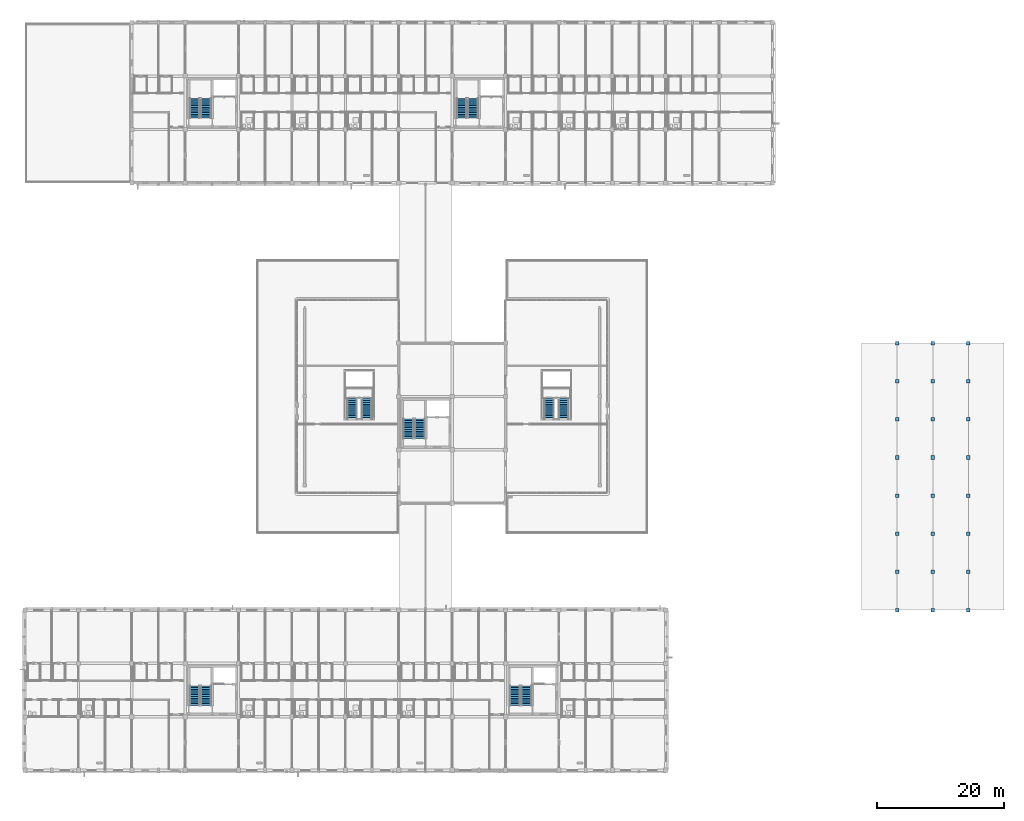
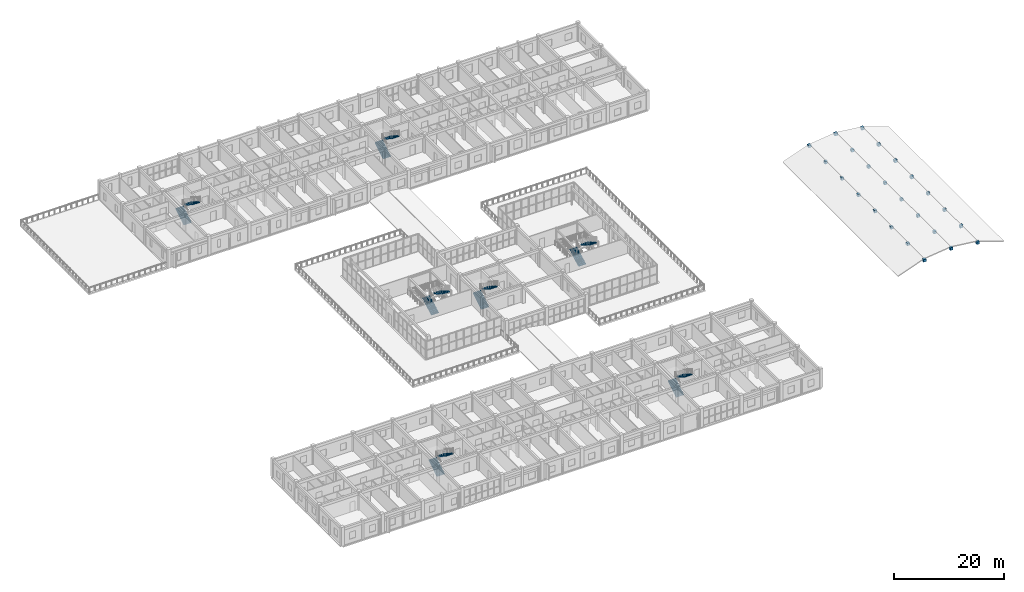
# One storey, part 77 of 90: 24 discrete accessories, 14 stair flights, 7 elements without a shape of their own.
"""IFC4 building model written with IfcOpenShell, lengths in metres."""

import ifcopenshell
import ifcopenshell.guid

model = None  # the IFC model being written
_history = None  # IfcOwnerHistory: only IFC2X3 demands one
_inside = {}  # id of a spatial element -> (the spatial element, [elements in it])
_under = {}  # id of a project, library or spatial element -> (it, [spatial elements below it])
_declared = {}  # id of a project -> (the project, [libraries it declares])
_typed = {}  # id of a type object -> (the type object, [elements of that type])
_made_of = {}  # id of a material, layer set ... -> (it, [elements and type objects made of it])


def new_model(schema):
    """Start an empty IFC model of exactly this schema.

    Asked for "IFC4X3", IfcOpenShell would pick the latest addendum, in which some entities
    have other attributes; the version numbers below select the first issue.
    IFC2X3 requires an IfcOwnerHistory on every rooted entity: one is made here for all.
    """
    global model, _history
    if schema == "IFC4X3":
        model = ifcopenshell.file(schema_version=(4, 3, 0, 0))
    else:
        model = ifcopenshell.file(schema=schema)
    _inside.clear()
    _under.clear()
    _declared.clear()
    _typed.clear()
    _made_of.clear()
    _history = None
    if model.schema == "IFC2X3":
        org = make("IfcOrganization", Name="unknown")
        user = make(
            "IfcPersonAndOrganization",
            ThePerson=make("IfcPerson", FamilyName="unknown"),
            TheOrganization=org,
        )
        app = make(
            "IfcApplication",
            ApplicationDeveloper=org,
            Version="unknown",
            ApplicationFullName="unknown",
            ApplicationIdentifier="unknown",
        )
        _history = make(
            "IfcOwnerHistory",
            OwningUser=user,
            OwningApplication=app,
            ChangeAction="ADDED",
            CreationDate=0,
        )
    return model


def make(cls, **values):
    """One entity of the class cls with the attributes given. An attribute that is None is left unset."""
    return model.create_entity(
        cls, **{name: value for name, value in values.items() if value is not None}
    )


def rooted(cls, **values):
    """An entity with a GlobalId (a new one), such as an element, a storey or a relation."""
    return make(cls, GlobalId=ifcopenshell.guid.new(), OwnerHistory=_history, **values)


def si_unit(unit_type, name, prefix=None):
    """IfcSIUnit, for example si_unit("LENGTHUNIT", "METRE", prefix="MILLI")."""
    return make("IfcSIUnit", UnitType=unit_type, Prefix=prefix, Name=name)


def assignment(units):
    """IfcUnitAssignment: the units of a project."""
    return None if units is None else make("IfcUnitAssignment", Units=units)


def point(xyz):
    """IfcCartesianPoint."""
    return None if xyz is None else make("IfcCartesianPoint", Coordinates=xyz)


def direction(xyz):
    """IfcDirection."""
    return None if xyz is None else make("IfcDirection", DirectionRatios=xyz)


def frame(location, z_axis=None, x_axis=None):
    """IfcAxis2Placement3D, a coordinate frame: its origin and axes. An axis left out is left unset."""
    return make(
        "IfcAxis2Placement3D",
        Location=point(location),
        Axis=direction(z_axis),
        RefDirection=direction(x_axis),
    )


def frame_2d(location, x_axis=None):
    """IfcAxis2Placement2D, a coordinate frame in the plane: its origin and x axis."""
    return make(
        "IfcAxis2Placement2D", Location=point(location), RefDirection=direction(x_axis)
    )


def origin():
    """The frame at (0, 0, 0) with its axes left unset."""
    return frame((0.0, 0.0, 0.0))


def origin_2d():
    """The frame at (0, 0) in the plane with its x axis left unset."""
    return frame_2d((0.0, 0.0))


def place(relative_to, where):
    """IfcLocalPlacement: puts the frame where relative to a parent placement (None: the world)."""
    return make(
        "IfcLocalPlacement", PlacementRelTo=relative_to, RelativePlacement=where
    )


def context(
    kind, dimensions, precision=None, world=None, true_north=None, identifier=None
):
    """IfcGeometricRepresentationContext, for example the 3D "Model" context."""
    return make(
        "IfcGeometricRepresentationContext",
        ContextIdentifier=identifier,
        ContextType=kind,
        CoordinateSpaceDimension=dimensions,
        Precision=precision,
        WorldCoordinateSystem=world,
        TrueNorth=true_north,
    )


def subcontext(parent, identifier, kind, view, scale=None):
    """IfcGeometricRepresentationSubContext, for example "Body" below "Model"."""
    return make(
        "IfcGeometricRepresentationSubContext",
        ContextIdentifier=identifier,
        ContextType=kind,
        ParentContext=parent,
        TargetScale=scale,
        TargetView=view,
    )


def project(units=None, contexts=None):
    """IfcProject with its units and contexts."""
    return rooted(
        "IfcProject",
        Name="project",
        RepresentationContexts=contexts,
        UnitsInContext=assignment(units),
    )


def spatial(cls, under=None, at=None, **own):
    """A site, building, storey or space (cls), placed at a placement, below another one or the project."""
    s = rooted(cls, ObjectPlacement=at, **own)
    if under is not None:
        _under.setdefault(under.id(), (under, []))[1].append(s)
    return s


def polyline(points):
    """IfcPolyline through the points."""
    return make("IfcPolyline", Points=[point(p) for p in points])


def profile(cls, at=None, kind="AREA", **sizes):
    """A parametric profile (cls). Its sizes go by their IFC names, for example OverallWidth=200.0."""
    return make(cls, ProfileType=kind, Position=at, **sizes)


def rectangle(**sizes):
    """IfcRectangleProfileDef."""
    return profile("IfcRectangleProfileDef", **sizes)


def outline(outer, holes=None, kind="AREA"):
    """IfcArbitraryClosedProfileDef: a profile drawn as a closed curve; with holes, ...WithVoids."""
    if holes is None:
        return make("IfcArbitraryClosedProfileDef", ProfileType=kind, OuterCurve=outer)
    return make(
        "IfcArbitraryProfileDefWithVoids",
        ProfileType=kind,
        OuterCurve=outer,
        InnerCurves=holes,
    )


def extrude(swept, where, along, depth):
    """IfcExtrudedAreaSolid: the profile swept, set in the frame where, extruded along a direction by depth."""
    return make(
        "IfcExtrudedAreaSolid",
        SweptArea=swept,
        Position=where,
        ExtrudedDirection=direction(along),
        Depth=depth,
    )


def shape(context_of_items, identifier, shape_type, items):
    """IfcShapeRepresentation: the items that make up one representation, for example the "Body"."""
    return make(
        "IfcShapeRepresentation",
        ContextOfItems=context_of_items,
        RepresentationIdentifier=identifier,
        RepresentationType=shape_type,
        Items=items,
    )


def material(Name=None, Category=None):
    """IfcMaterial."""
    return make("IfcMaterial", Name=Name, Category=Category)


def made_of(thing, what):
    """Note that an element or type object is made of a material, layer set ...; save() writes the relation."""
    if what is not None:
        _made_of.setdefault(what.id(), (what, []))[1].append(thing)
    return thing


def type_object(cls, material=None, **own):
    """A type object (cls), such as IfcWallType, which elements share."""
    return made_of(rooted(cls, **own), material)


def element(
    cls,
    number,
    at=None,
    inside=None,
    cuts=None,
    type_object=None,
    material=None,
    context=None,
    identifier="Body",
    shape_type=None,
    held_by="IfcProductDefinitionShape",
    body=None,
    shapes=None,
    **own,
):
    """One element of the class cls, such as IfcWall. Its Tag is "e" and its number.

    at: its placement. inside: the storey or other place that contains it. cuts: it is an
    opening in that element (IfcRelVoidsElement). A single representation is given by context,
    identifier, shape_type and body (its items); several are given by shapes. held_by: the class
    of the entity that holds the representations. save() writes the other relations.
    """
    e = rooted(cls, Tag="e%d" % number, ObjectPlacement=at, **own)
    if body is not None:
        shapes = [shape(context, identifier, shape_type, body)]
    if shapes is not None:
        e.Representation = make(held_by, Representations=shapes)
    if inside is not None:
        _inside.setdefault(inside.id(), (inside, []))[1].append(e)
    if cuts is not None:
        rooted(
            "IfcRelVoidsElement", RelatingBuildingElement=cuts, RelatedOpeningElement=e
        )
    if type_object is not None:
        _typed.setdefault(type_object.id(), (type_object, []))[1].append(e)
    return made_of(e, material)


def aggregate(whole, parts):
    """IfcRelAggregates: a whole, such as a stair, and the parts it consists of."""
    return rooted("IfcRelAggregates", RelatingObject=whole, RelatedObjects=parts)


def save(model, path):
    """Write the relations noted so far, then the file.

    IfcRelAggregates (storeys below a building ...), IfcRelContainedInSpatialStructure (elements
    in a storey), IfcRelDefinesByType, IfcRelAssociatesMaterial and IfcRelDeclares: one each for
    every whole, place, type object, material and project.
    """
    for whole, parts in _under.values():
        aggregate(whole, parts)
    for where, things in _inside.values():
        rooted(
            "IfcRelContainedInSpatialStructure",
            RelatedElements=things,
            RelatingStructure=where,
        )
    for kind, things in _typed.values():
        rooted("IfcRelDefinesByType", RelatedObjects=things, RelatingType=kind)
    for what, things in _made_of.values():
        rooted("IfcRelAssociatesMaterial", RelatedObjects=things, RelatingMaterial=what)
    for by, libraries in _declared.values():
        rooted("IfcRelDeclares", RelatingContext=by, RelatedDefinitions=libraries)
    model.write(path)


model = new_model("IFC4")

# Units and contexts
model_context = context("Model", 3, precision=1e-05, world=origin(), true_north=direction((0.0, 1.0)))
body_context = subcontext(model_context, "Body", "Model", "MODEL_VIEW")
ifc_project = project(units=[si_unit("LENGTHUNIT", "METRE"), si_unit("AREAUNIT", "SQUARE_METRE"), si_unit("VOLUMEUNIT", "CUBIC_METRE"), si_unit("PLANEANGLEUNIT", "RADIAN"), si_unit("MASSUNIT", "GRAM", prefix="KILO")], contexts=[model_context])

# Site, building, storey
site_placement = place(None, origin())
site = spatial("IfcSite", under=ifc_project, at=site_placement, CompositionType="ELEMENT")
building_placement = place(site_placement, origin())
building = spatial("IfcBuilding", under=site, at=building_placement, Name="Trelvath General Hospital", CompositionType="ELEMENT")
storey_placement = place(building_placement, frame((0.0, 0.0, 20.39990234375)))
storey = spatial("IfcBuildingStorey", under=building, at=storey_placement, Name="L05", CompositionType="ELEMENT", Elevation=20.39990234375)

# Stair, stair flights
ifc_material_1 = material(Name="Concrete C35/45", Category="concrete")
stair_type_1 = type_object("IfcStairType", Name="Stair PublicCube420", PredefinedType="TWO_STRAIGHT_RUN_STAIR", material=ifc_material_1)
stair_1_placement = place(storey_placement, origin())
stair_1 = element("IfcStair", 1, at=stair_1_placement, inside=storey, type_object=stair_type_1, Name="Public Cube Feature Stair ST9 L05", PredefinedType="TWO_STRAIGHT_RUN_STAIR")
ifc_material_2 = material(Name="Concrete C35/45", Category="concrete")
stair_flight_type_1 = type_object("IfcStairFlightType", Name="Flight PublicCube420", PredefinedType="STRAIGHT", material=ifc_material_2)
stair_flight_1_placement = place(storey_placement, frame((68.25, 55.169921875, 0.0), z_axis=(0.0, 0.0, 1.0), x_axis=(0.0, 1.0, 0.0)))
stair_flight_1 = element("IfcStairFlight", 2, at=stair_flight_1_placement, type_object=stair_flight_type_1, Name="ST9-L05 flight 1", NumberOfRisers=12, NumberOfTreads=11, PredefinedType="STRAIGHT", RiserHeight=0.175, TreadLength=0.3, context=body_context, shape_type="SweptSolid", body=[
    extrude(outline(polyline([(0.0, 0.0), (0.0, 0.175048828125), (0.300048828125, 0.175048828125), (0.300048828125, 0.35009765625), (0.60009765625, 0.35009765625), (0.60009765625, 0.52490234375), (0.89990234375, 0.52490234375), (0.89990234375, 0.699951171875), (1.199951171875, 0.699951171875), (1.199951171875, 0.875), (1.5, 0.875), (1.5, 1.050048828125), (1.800048828125, 1.050048828125), (1.800048828125, 1.22509765625), (2.10009765625, 1.22509765625), (2.10009765625, 1.39990234375), (2.39990234375, 1.39990234375), (2.39990234375, 1.574951171875), (2.699951171875, 1.574951171875), (2.699951171875, 1.75), (3.0, 1.75), (3.0, 1.925048828125), (3.300048828125, 1.925048828125), (3.300048828125, 2.10009765625), (3.300048828125, 1.739990234375), (0.3173828125, 0.0), (0.0, 0.0)])), frame((0.0, 0.77001953125, 0.0), z_axis=(0.0, -1.0, 0.0), x_axis=(1.0, 0.0, 0.0)), (0.0, 0.0, 1.0), 1.5400390625),
])
stair_flight_2_placement = place(storey_placement, frame((70.550048828125, 58.469970703125, 2.10009765625), z_axis=(0.0, 0.0, 1.0), x_axis=(0.0, -1.0, 0.0)))
stair_flight_2 = element("IfcStairFlight", 3, at=stair_flight_2_placement, type_object=stair_flight_type_1, Name="ST9-L05 flight 2", NumberOfRisers=12, NumberOfTreads=11, PredefinedType="STRAIGHT", RiserHeight=0.175, TreadLength=0.3, context=body_context, shape_type="SweptSolid", body=[
    extrude(outline(polyline([(0.0, 0.0), (0.0, 0.175048828125), (0.300048828125, 0.175048828125), (0.300048828125, 0.35009765625), (0.60009765625, 0.35009765625), (0.60009765625, 0.52490234375), (0.89990234375, 0.52490234375), (0.89990234375, 0.699951171875), (1.199951171875, 0.699951171875), (1.199951171875, 0.875), (1.5, 0.875), (1.5, 1.050048828125), (1.800048828125, 1.050048828125), (1.800048828125, 1.22509765625), (2.10009765625, 1.22509765625), (2.10009765625, 1.39990234375), (2.39990234375, 1.39990234375), (2.39990234375, 1.574951171875), (2.699951171875, 1.574951171875), (2.699951171875, 1.75), (3.0, 1.75), (3.0, 1.925048828125), (3.300048828125, 1.925048828125), (3.300048828125, 2.10009765625), (3.300048828125, 1.739990234375), (0.3173828125, 0.0), (0.0, 0.0)])), frame((0.0, 0.77001953125, 0.0), z_axis=(0.0, -1.0, 0.0), x_axis=(1.0, 0.0, 0.0)), (0.0, 0.0, 1.0), 1.5400390625),
])
aggregate(stair_1, [stair_flight_1, stair_flight_2])

stair_2_placement = place(storey_placement, origin())
stair_2 = element("IfcStair", 4, at=stair_2_placement, inside=storey, type_object=stair_type_1, Name="Public Cube Feature Stair ST10 L05", PredefinedType="TWO_STRAIGHT_RUN_STAIR")
stair_flight_3_placement = place(storey_placement, frame((99.25, 55.169921875, 0.0), z_axis=(0.0, 0.0, 1.0), x_axis=(0.0, 1.0, 0.0)))
stair_flight_3 = element("IfcStairFlight", 5, at=stair_flight_3_placement, type_object=stair_flight_type_1, Name="ST10-L05 flight 1", NumberOfRisers=12, NumberOfTreads=11, PredefinedType="STRAIGHT", RiserHeight=0.175, TreadLength=0.3, context=body_context, shape_type="SweptSolid", body=[
    extrude(outline(polyline([(0.0, 0.0), (0.0, 0.175048828125), (0.300048828125, 0.175048828125), (0.300048828125, 0.35009765625), (0.60009765625, 0.35009765625), (0.60009765625, 0.52490234375), (0.89990234375, 0.52490234375), (0.89990234375, 0.699951171875), (1.199951171875, 0.699951171875), (1.199951171875, 0.875), (1.5, 0.875), (1.5, 1.050048828125), (1.800048828125, 1.050048828125), (1.800048828125, 1.22509765625), (2.10009765625, 1.22509765625), (2.10009765625, 1.39990234375), (2.39990234375, 1.39990234375), (2.39990234375, 1.574951171875), (2.699951171875, 1.574951171875), (2.699951171875, 1.75), (3.0, 1.75), (3.0, 1.925048828125), (3.300048828125, 1.925048828125), (3.300048828125, 2.10009765625), (3.300048828125, 1.739990234375), (0.3173828125, 0.0), (0.0, 0.0)])), frame((0.0, 0.77001953125, 0.0), z_axis=(0.0, -1.0, 0.0), x_axis=(1.0, 0.0, 0.0)), (0.0, 0.0, 1.0), 1.5400390625),
])
stair_flight_4_placement = place(storey_placement, frame((101.550048828125, 58.469970703125, 2.10009765625), z_axis=(0.0, 0.0, 1.0), x_axis=(0.0, -1.0, 0.0)))
stair_flight_4 = element("IfcStairFlight", 6, at=stair_flight_4_placement, type_object=stair_flight_type_1, Name="ST10-L05 flight 2", NumberOfRisers=12, NumberOfTreads=11, PredefinedType="STRAIGHT", RiserHeight=0.175, TreadLength=0.3, context=body_context, shape_type="SweptSolid", body=[
    extrude(outline(polyline([(0.0, 0.0), (0.0, 0.175048828125), (0.300048828125, 0.175048828125), (0.300048828125, 0.35009765625), (0.60009765625, 0.35009765625), (0.60009765625, 0.52490234375), (0.89990234375, 0.52490234375), (0.89990234375, 0.699951171875), (1.199951171875, 0.699951171875), (1.199951171875, 0.875), (1.5, 0.875), (1.5, 1.050048828125), (1.800048828125, 1.050048828125), (1.800048828125, 1.22509765625), (2.10009765625, 1.22509765625), (2.10009765625, 1.39990234375), (2.39990234375, 1.39990234375), (2.39990234375, 1.574951171875), (2.699951171875, 1.574951171875), (2.699951171875, 1.75), (3.0, 1.75), (3.0, 1.925048828125), (3.300048828125, 1.925048828125), (3.300048828125, 2.10009765625), (3.300048828125, 1.739990234375), (0.3173828125, 0.0), (0.0, 0.0)])), frame((0.0, 0.77001953125, 0.0), z_axis=(0.0, -1.0, 0.0), x_axis=(1.0, 0.0, 0.0)), (0.0, 0.0, 1.0), 1.5400390625),
])
aggregate(stair_2, [stair_flight_3, stair_flight_4])

ifc_material_3 = material(Name="Concrete C35/45", Category="concrete")
stair_type_2 = type_object("IfcStairType", Name="Stair Stretcher420", PredefinedType="TWO_STRAIGHT_RUN_STAIR", material=ifc_material_3)
stair_3_placement = place(storey_placement, origin())
stair_3 = element("IfcStair", 7, at=stair_3_placement, inside=storey, type_object=stair_type_2, Name="Exit Stair ST1 L05", PredefinedType="TWO_STRAIGHT_RUN_STAIR")
ifc_material_4 = material(Name="Concrete C35/45", Category="concrete")
stair_flight_type_2 = type_object("IfcStairFlightType", Name="Flight Stretcher420", PredefinedType="STRAIGHT", material=ifc_material_4)
stair_flight_5_placement = place(storey_placement, frame((43.5, 102.60009765625, 0.0), z_axis=(0.0, 0.0, 1.0), x_axis=(0.0, 1.0, 0.0)))
stair_flight_5 = element("IfcStairFlight", 8, at=stair_flight_5_placement, type_object=stair_flight_type_2, Name="ST1-L05 flight 1", NumberOfRisers=12, NumberOfTreads=11, PredefinedType="STRAIGHT", RiserHeight=0.175, TreadLength=0.28, context=body_context, shape_type="SweptSolid", body=[
    extrude(outline(polyline([(0.0, 0.0), (0.0, 0.175048828125), (0.280029296875, 0.175048828125), (0.280029296875, 0.35009765625), (0.56005859375, 0.35009765625), (0.56005859375, 0.52490234375), (0.840087890625, 0.52490234375), (0.840087890625, 0.699951171875), (1.1201171875, 0.699951171875), (1.1201171875, 0.875), (1.39990234375, 0.875), (1.39990234375, 1.050048828125), (1.679931640625, 1.050048828125), (1.679931640625, 1.22509765625), (1.9599609375, 1.22509765625), (1.9599609375, 1.39990234375), (2.239990234375, 1.39990234375), (2.239990234375, 1.574951171875), (2.52001953125, 1.574951171875), (2.52001953125, 1.75), (2.800048828125, 1.75), (2.800048828125, 1.925048828125), (3.080078125, 1.925048828125), (3.080078125, 2.10009765625), (3.080078125, 1.736328125), (0.3017578125, 0.0), (0.0, 0.0)])), frame((0.0, 0.81005859375, 0.0), z_axis=(0.0, -1.0, 0.0), x_axis=(1.0, 0.0, 0.0)), (0.0, 0.0, 1.0), 1.6201171875),
])
stair_flight_6_placement = place(storey_placement, frame((45.300048828125, 105.679931640625, 2.10009765625), z_axis=(0.0, 0.0, 1.0), x_axis=(0.0, -1.0, 0.0)))
stair_flight_6 = element("IfcStairFlight", 9, at=stair_flight_6_placement, type_object=stair_flight_type_2, Name="ST1-L05 flight 2", NumberOfRisers=12, NumberOfTreads=11, PredefinedType="STRAIGHT", RiserHeight=0.175, TreadLength=0.28, context=body_context, shape_type="SweptSolid", body=[
    extrude(outline(polyline([(0.0, 0.0), (0.0, 0.175048828125), (0.280029296875, 0.175048828125), (0.280029296875, 0.35009765625), (0.56005859375, 0.35009765625), (0.56005859375, 0.52490234375), (0.840087890625, 0.52490234375), (0.840087890625, 0.699951171875), (1.1201171875, 0.699951171875), (1.1201171875, 0.875), (1.39990234375, 0.875), (1.39990234375, 1.050048828125), (1.679931640625, 1.050048828125), (1.679931640625, 1.22509765625), (1.9599609375, 1.22509765625), (1.9599609375, 1.39990234375), (2.239990234375, 1.39990234375), (2.239990234375, 1.574951171875), (2.52001953125, 1.574951171875), (2.52001953125, 1.75), (2.800048828125, 1.75), (2.800048828125, 1.925048828125), (3.080078125, 1.925048828125), (3.080078125, 2.10009765625), (3.080078125, 1.736328125), (0.3017578125, 0.0), (0.0, 0.0)])), frame((0.0, 0.81005859375, 0.0), z_axis=(0.0, -1.0, 0.0), x_axis=(1.0, 0.0, 0.0)), (0.0, 0.0, 1.0), 1.6201171875),
])
aggregate(stair_3, [stair_flight_5, stair_flight_6])

stair_4_placement = place(storey_placement, origin())
stair_4 = element("IfcStair", 10, at=stair_4_placement, inside=storey, type_object=stair_type_2, Name="Exit Stair ST2 L05", PredefinedType="TWO_STRAIGHT_RUN_STAIR")
stair_flight_7_placement = place(storey_placement, frame((85.5, 102.60009765625, 0.0), z_axis=(0.0, 0.0, 1.0), x_axis=(0.0, 1.0, 0.0)))
stair_flight_7 = element("IfcStairFlight", 11, at=stair_flight_7_placement, type_object=stair_flight_type_2, Name="ST2-L05 flight 1", NumberOfRisers=12, NumberOfTreads=11, PredefinedType="STRAIGHT", RiserHeight=0.175, TreadLength=0.28, context=body_context, shape_type="SweptSolid", body=[
    extrude(outline(polyline([(0.0, 0.0), (0.0, 0.175048828125), (0.280029296875, 0.175048828125), (0.280029296875, 0.35009765625), (0.56005859375, 0.35009765625), (0.56005859375, 0.52490234375), (0.840087890625, 0.52490234375), (0.840087890625, 0.699951171875), (1.1201171875, 0.699951171875), (1.1201171875, 0.875), (1.39990234375, 0.875), (1.39990234375, 1.050048828125), (1.679931640625, 1.050048828125), (1.679931640625, 1.22509765625), (1.9599609375, 1.22509765625), (1.9599609375, 1.39990234375), (2.239990234375, 1.39990234375), (2.239990234375, 1.574951171875), (2.52001953125, 1.574951171875), (2.52001953125, 1.75), (2.800048828125, 1.75), (2.800048828125, 1.925048828125), (3.080078125, 1.925048828125), (3.080078125, 2.10009765625), (3.080078125, 1.736328125), (0.3017578125, 0.0), (0.0, 0.0)])), frame((0.0, 0.81005859375, 0.0), z_axis=(0.0, -1.0, 0.0), x_axis=(1.0, 0.0, 0.0)), (0.0, 0.0, 1.0), 1.6201171875),
])
stair_flight_8_placement = place(storey_placement, frame((87.300048828125, 105.679931640625, 2.10009765625), z_axis=(0.0, 0.0, 1.0), x_axis=(0.0, -1.0, 0.0)))
stair_flight_8 = element("IfcStairFlight", 12, at=stair_flight_8_placement, type_object=stair_flight_type_2, Name="ST2-L05 flight 2", NumberOfRisers=12, NumberOfTreads=11, PredefinedType="STRAIGHT", RiserHeight=0.175, TreadLength=0.28, context=body_context, shape_type="SweptSolid", body=[
    extrude(outline(polyline([(0.0, 0.0), (0.0, 0.175048828125), (0.280029296875, 0.175048828125), (0.280029296875, 0.35009765625), (0.56005859375, 0.35009765625), (0.56005859375, 0.52490234375), (0.840087890625, 0.52490234375), (0.840087890625, 0.699951171875), (1.1201171875, 0.699951171875), (1.1201171875, 0.875), (1.39990234375, 0.875), (1.39990234375, 1.050048828125), (1.679931640625, 1.050048828125), (1.679931640625, 1.22509765625), (1.9599609375, 1.22509765625), (1.9599609375, 1.39990234375), (2.239990234375, 1.39990234375), (2.239990234375, 1.574951171875), (2.52001953125, 1.574951171875), (2.52001953125, 1.75), (2.800048828125, 1.75), (2.800048828125, 1.925048828125), (3.080078125, 1.925048828125), (3.080078125, 2.10009765625), (3.080078125, 1.736328125), (0.3017578125, 0.0), (0.0, 0.0)])), frame((0.0, 0.81005859375, 0.0), z_axis=(0.0, -1.0, 0.0), x_axis=(1.0, 0.0, 0.0)), (0.0, 0.0, 1.0), 1.6201171875),
])
aggregate(stair_4, [stair_flight_7, stair_flight_8])

stair_5_placement = place(storey_placement, origin())
stair_5 = element("IfcStair", 13, at=stair_5_placement, inside=storey, type_object=stair_type_2, Name="Exit Stair ST4 L05", PredefinedType="TWO_STRAIGHT_RUN_STAIR")
stair_flight_9_placement = place(storey_placement, frame((43.5, 10.199951171875, 0.0), z_axis=(0.0, 0.0, 1.0), x_axis=(0.0, 1.0, 0.0)))
stair_flight_9 = element("IfcStairFlight", 14, at=stair_flight_9_placement, type_object=stair_flight_type_2, Name="ST4-L05 flight 1", NumberOfRisers=12, NumberOfTreads=11, PredefinedType="STRAIGHT", RiserHeight=0.175, TreadLength=0.28, context=body_context, shape_type="SweptSolid", body=[
    extrude(outline(polyline([(0.0, 0.0), (0.0, 0.175048828125), (0.280029296875, 0.175048828125), (0.280029296875, 0.35009765625), (0.56005859375, 0.35009765625), (0.56005859375, 0.52490234375), (0.840087890625, 0.52490234375), (0.840087890625, 0.699951171875), (1.1201171875, 0.699951171875), (1.1201171875, 0.875), (1.39990234375, 0.875), (1.39990234375, 1.050048828125), (1.679931640625, 1.050048828125), (1.679931640625, 1.22509765625), (1.9599609375, 1.22509765625), (1.9599609375, 1.39990234375), (2.239990234375, 1.39990234375), (2.239990234375, 1.574951171875), (2.52001953125, 1.574951171875), (2.52001953125, 1.75), (2.800048828125, 1.75), (2.800048828125, 1.925048828125), (3.080078125, 1.925048828125), (3.080078125, 2.10009765625), (3.080078125, 1.736328125), (0.3017578125, 0.0), (0.0, 0.0)])), frame((0.0, 0.81005859375, 0.0), z_axis=(0.0, -1.0, 0.0), x_axis=(1.0, 0.0, 0.0)), (0.0, 0.0, 1.0), 1.6201171875),
])
stair_flight_10_placement = place(storey_placement, frame((45.300048828125, 13.280029296875, 2.10009765625), z_axis=(0.0, 0.0, 1.0), x_axis=(0.0, -1.0, 0.0)))
stair_flight_10 = element("IfcStairFlight", 15, at=stair_flight_10_placement, type_object=stair_flight_type_2, Name="ST4-L05 flight 2", NumberOfRisers=12, NumberOfTreads=11, PredefinedType="STRAIGHT", RiserHeight=0.175, TreadLength=0.28, context=body_context, shape_type="SweptSolid", body=[
    extrude(outline(polyline([(0.0, 0.0), (0.0, 0.175048828125), (0.280029296875, 0.175048828125), (0.280029296875, 0.35009765625), (0.56005859375, 0.35009765625), (0.56005859375, 0.52490234375), (0.840087890625, 0.52490234375), (0.840087890625, 0.699951171875), (1.1201171875, 0.699951171875), (1.1201171875, 0.875), (1.39990234375, 0.875), (1.39990234375, 1.050048828125), (1.679931640625, 1.050048828125), (1.679931640625, 1.22509765625), (1.9599609375, 1.22509765625), (1.9599609375, 1.39990234375), (2.239990234375, 1.39990234375), (2.239990234375, 1.574951171875), (2.52001953125, 1.574951171875), (2.52001953125, 1.75), (2.800048828125, 1.75), (2.800048828125, 1.925048828125), (3.080078125, 1.925048828125), (3.080078125, 2.10009765625), (3.080078125, 1.736328125), (0.3017578125, 0.0), (0.0, 0.0)])), frame((0.0, 0.81005859375, 0.0), z_axis=(0.0, -1.0, 0.0), x_axis=(1.0, 0.0, 0.0)), (0.0, 0.0, 1.0), 1.6201171875),
])
aggregate(stair_5, [stair_flight_9, stair_flight_10])

stair_6_placement = place(storey_placement, origin())
stair_6 = element("IfcStair", 16, at=stair_6_placement, inside=storey, type_object=stair_type_2, Name="Exit Stair ST5 L05", PredefinedType="TWO_STRAIGHT_RUN_STAIR")
stair_flight_11_placement = place(storey_placement, frame((93.89990234375, 10.199951171875, 0.0), z_axis=(0.0, 0.0, 1.0), x_axis=(0.0, 1.0, 0.0)))
stair_flight_11 = element("IfcStairFlight", 17, at=stair_flight_11_placement, type_object=stair_flight_type_2, Name="ST5-L05 flight 1", NumberOfRisers=12, NumberOfTreads=11, PredefinedType="STRAIGHT", RiserHeight=0.175, TreadLength=0.28, context=body_context, shape_type="SweptSolid", body=[
    extrude(outline(polyline([(0.0, 0.0), (0.0, 0.175048828125), (0.280029296875, 0.175048828125), (0.280029296875, 0.35009765625), (0.56005859375, 0.35009765625), (0.56005859375, 0.52490234375), (0.840087890625, 0.52490234375), (0.840087890625, 0.699951171875), (1.1201171875, 0.699951171875), (1.1201171875, 0.875), (1.39990234375, 0.875), (1.39990234375, 1.050048828125), (1.679931640625, 1.050048828125), (1.679931640625, 1.22509765625), (1.9599609375, 1.22509765625), (1.9599609375, 1.39990234375), (2.239990234375, 1.39990234375), (2.239990234375, 1.574951171875), (2.52001953125, 1.574951171875), (2.52001953125, 1.75), (2.800048828125, 1.75), (2.800048828125, 1.925048828125), (3.080078125, 1.925048828125), (3.080078125, 2.10009765625), (3.080078125, 1.736328125), (0.3017578125, 0.0), (0.0, 0.0)])), frame((0.0, 0.81005859375, 0.0), z_axis=(0.0, -1.0, 0.0), x_axis=(1.0, 0.0, 0.0)), (0.0, 0.0, 1.0), 1.6201171875),
])
stair_flight_12_placement = place(storey_placement, frame((95.699951171875, 13.280029296875, 2.10009765625), z_axis=(0.0, 0.0, 1.0), x_axis=(0.0, -1.0, 0.0)))
stair_flight_12 = element("IfcStairFlight", 18, at=stair_flight_12_placement, type_object=stair_flight_type_2, Name="ST5-L05 flight 2", NumberOfRisers=12, NumberOfTreads=11, PredefinedType="STRAIGHT", RiserHeight=0.175, TreadLength=0.28, context=body_context, shape_type="SweptSolid", body=[
    extrude(outline(polyline([(0.0, 0.0), (0.0, 0.175048828125), (0.280029296875, 0.175048828125), (0.280029296875, 0.35009765625), (0.56005859375, 0.35009765625), (0.56005859375, 0.52490234375), (0.840087890625, 0.52490234375), (0.840087890625, 0.699951171875), (1.1201171875, 0.699951171875), (1.1201171875, 0.875), (1.39990234375, 0.875), (1.39990234375, 1.050048828125), (1.679931640625, 1.050048828125), (1.679931640625, 1.22509765625), (1.9599609375, 1.22509765625), (1.9599609375, 1.39990234375), (2.239990234375, 1.39990234375), (2.239990234375, 1.574951171875), (2.52001953125, 1.574951171875), (2.52001953125, 1.75), (2.800048828125, 1.75), (2.800048828125, 1.925048828125), (3.080078125, 1.925048828125), (3.080078125, 2.10009765625), (3.080078125, 1.736328125), (0.3017578125, 0.0), (0.0, 0.0)])), frame((0.0, 0.81005859375, 0.0), z_axis=(0.0, -1.0, 0.0), x_axis=(1.0, 0.0, 0.0)), (0.0, 0.0, 1.0), 1.6201171875),
])
aggregate(stair_6, [stair_flight_11, stair_flight_12])

stair_7_placement = place(storey_placement, origin())
stair_7 = element("IfcStair", 19, at=stair_7_placement, inside=storey, type_object=stair_type_2, Name="Exit Stair ST6 L05", PredefinedType="TWO_STRAIGHT_RUN_STAIR")
stair_flight_13_placement = place(storey_placement, frame((77.10009765625, 52.199951171875, 0.0), z_axis=(0.0, 0.0, 1.0), x_axis=(0.0, 1.0, 0.0)))
stair_flight_13 = element("IfcStairFlight", 20, at=stair_flight_13_placement, type_object=stair_flight_type_2, Name="ST6-L05 flight 1", NumberOfRisers=12, NumberOfTreads=11, PredefinedType="STRAIGHT", RiserHeight=0.175, TreadLength=0.28, context=body_context, shape_type="SweptSolid", body=[
    extrude(outline(polyline([(0.0, 0.0), (0.0, 0.175048828125), (0.280029296875, 0.175048828125), (0.280029296875, 0.35009765625), (0.56005859375, 0.35009765625), (0.56005859375, 0.52490234375), (0.840087890625, 0.52490234375), (0.840087890625, 0.699951171875), (1.1201171875, 0.699951171875), (1.1201171875, 0.875), (1.39990234375, 0.875), (1.39990234375, 1.050048828125), (1.679931640625, 1.050048828125), (1.679931640625, 1.22509765625), (1.9599609375, 1.22509765625), (1.9599609375, 1.39990234375), (2.239990234375, 1.39990234375), (2.239990234375, 1.574951171875), (2.52001953125, 1.574951171875), (2.52001953125, 1.75), (2.800048828125, 1.75), (2.800048828125, 1.925048828125), (3.080078125, 1.925048828125), (3.080078125, 2.10009765625), (3.080078125, 1.736328125), (0.3017578125, 0.0), (0.0, 0.0)])), frame((0.0, 0.81005859375, 0.0), z_axis=(0.0, -1.0, 0.0), x_axis=(1.0, 0.0, 0.0)), (0.0, 0.0, 1.0), 1.6201171875),
])
stair_flight_14_placement = place(storey_placement, frame((78.89990234375, 55.280029296875, 2.10009765625), z_axis=(0.0, 0.0, 1.0), x_axis=(0.0, -1.0, 0.0)))
stair_flight_14 = element("IfcStairFlight", 21, at=stair_flight_14_placement, type_object=stair_flight_type_2, Name="ST6-L05 flight 2", NumberOfRisers=12, NumberOfTreads=11, PredefinedType="STRAIGHT", RiserHeight=0.175, TreadLength=0.28, context=body_context, shape_type="SweptSolid", body=[
    extrude(outline(polyline([(0.0, 0.0), (0.0, 0.175048828125), (0.280029296875, 0.175048828125), (0.280029296875, 0.35009765625), (0.56005859375, 0.35009765625), (0.56005859375, 0.52490234375), (0.840087890625, 0.52490234375), (0.840087890625, 0.699951171875), (1.1201171875, 0.699951171875), (1.1201171875, 0.875), (1.39990234375, 0.875), (1.39990234375, 1.050048828125), (1.679931640625, 1.050048828125), (1.679931640625, 1.22509765625), (1.9599609375, 1.22509765625), (1.9599609375, 1.39990234375), (2.239990234375, 1.39990234375), (2.239990234375, 1.574951171875), (2.52001953125, 1.574951171875), (2.52001953125, 1.75), (2.800048828125, 1.75), (2.800048828125, 1.925048828125), (3.080078125, 1.925048828125), (3.080078125, 2.10009765625), (3.080078125, 1.736328125), (0.3017578125, 0.0), (0.0, 0.0)])), frame((0.0, 0.81005859375, 0.0), z_axis=(0.0, -1.0, 0.0), x_axis=(1.0, 0.0, 0.0)), (0.0, 0.0, 1.0), 1.6201171875),
])
aggregate(stair_7, [stair_flight_13, stair_flight_14])

# Discrete accessories
ifc_material_5 = material(Name="Steel S355", Category="steel")
discrete_accessory_type = type_object("IfcDiscreteAccessoryType", Name="SpaceFrameNodeHub S355", PredefinedType="BRACKET", material=ifc_material_5)
for number, where, z_axis, x_axis, name in (
    (22, (154.0, 25.199951171875, -0.046630859375), (0.0, 0.0, 1.0), (1.0, 0.0, 0.0), "Space Frame Node Hub T2-0"),
    (23, (154.0, 31.199951171875, -0.046630859375), (0.0, 0.0, 1.0), (1.0, 0.0, 0.0), "Space Frame Node Hub T2-1"),
    (24, (154.0, 37.199951171875, -0.046630859375), (0.0, 0.0, 1.0), (1.0, 0.0, 0.0), "Space Frame Node Hub T2-2"),
    (25, (154.0, 43.199951171875, -0.046630859375), (0.0, 0.0, 1.0), (1.0, 0.0, 0.0), "Space Frame Node Hub T2-3"),
    (26, (154.0, 49.199951171875, -0.046630859375), (0.0, 0.0, 1.0), (1.0, 0.0, 0.0), "Space Frame Node Hub T2-4"),
    (27, (154.0, 55.199951171875, -0.046630859375), (0.0, 0.0, 1.0), (1.0, 0.0, 0.0), "Space Frame Node Hub T2-5"),
    (28, (154.0, 61.199951171875, -0.046630859375), (0.0, 0.0, 1.0), (1.0, 0.0, 0.0), "Space Frame Node Hub T2-6"),
    (29, (154.0, 67.199951171875, -0.046630859375), (0.0, 0.0, 1.0), (1.0, 0.0, 0.0), "Space Frame Node Hub T2-7"),
    (30, (159.60009765625, 25.199951171875, 0.6201171875), (0.0, 0.0, 1.0), (1.0, 0.0, 0.0), "Space Frame Node Hub T3-0"),
    (31, (159.60009765625, 31.199951171875, 0.6201171875), (0.0, 0.0, 1.0), (1.0, 0.0, 0.0), "Space Frame Node Hub T3-1"),
    (32, (159.60009765625, 37.199951171875, 0.6201171875), (0.0, 0.0, 1.0), (1.0, 0.0, 0.0), "Space Frame Node Hub T3-2"),
    (33, (159.60009765625, 43.199951171875, 0.6201171875), (0.0, 0.0, 1.0), (1.0, 0.0, 0.0), "Space Frame Node Hub T3-3"),
    (34, (159.60009765625, 49.199951171875, 0.6201171875), (0.0, 0.0, 1.0), (1.0, 0.0, 0.0), "Space Frame Node Hub T3-4"),
    (35, (159.60009765625, 55.199951171875, 0.6201171875), (0.0, 0.0, 1.0), (1.0, 0.0, 0.0), "Space Frame Node Hub T3-5"),
    (36, (159.60009765625, 61.199951171875, 0.6201171875), (0.0, 0.0, 1.0), (1.0, 0.0, 0.0), "Space Frame Node Hub T3-6"),
    (37, (159.60009765625, 67.199951171875, 0.6201171875), (0.0, 0.0, 1.0), (1.0, 0.0, 0.0), "Space Frame Node Hub T3-7"),
    (38, (165.199951171875, 25.199951171875, -0.046630859375), (0.0, 0.0, 1.0), (1.0, 0.0, 0.0), "Space Frame Node Hub T4-0"),
    (39, (165.199951171875, 31.199951171875, -0.046630859375), (0.0, 0.0, 1.0), (1.0, 0.0, 0.0), "Space Frame Node Hub T4-1"),
    (40, (165.199951171875, 37.199951171875, -0.046630859375), (0.0, 0.0, 1.0), (1.0, 0.0, 0.0), "Space Frame Node Hub T4-2"),
    (41, (165.199951171875, 43.199951171875, -0.046630859375), (0.0, 0.0, 1.0), (1.0, 0.0, 0.0), "Space Frame Node Hub T4-3"),
    (42, (165.199951171875, 49.199951171875, -0.046630859375), (0.0, 0.0, 1.0), (1.0, 0.0, 0.0), "Space Frame Node Hub T4-4"),
    (43, (165.199951171875, 55.199951171875, -0.046630859375), (0.0, 0.0, 1.0), (1.0, 0.0, 0.0), "Space Frame Node Hub T4-5"),
    (44, (165.199951171875, 61.199951171875, -0.046630859375), (0.0, 0.0, 1.0), (1.0, 0.0, 0.0), "Space Frame Node Hub T4-6"),
    (45, (165.199951171875, 67.199951171875, -0.046630859375), (0.0, 0.0, 1.0), (1.0, 0.0, 0.0), "Space Frame Node Hub T4-7"),
):
    element("IfcDiscreteAccessory", number, at=place(storey_placement, frame(where, z_axis=z_axis, x_axis=x_axis)), inside=storey, type_object=discrete_accessory_type, Name=name, PredefinedType="BRACKET", context=body_context, shape_type="SweptSolid", body=[
        extrude(rectangle(XDim=0.56005859375, YDim=0.56005859375, at=origin_2d()), origin(), (0.0, 0.0, 1.0), 0.56005859375),
    ])

save(model, "model.ifc")
